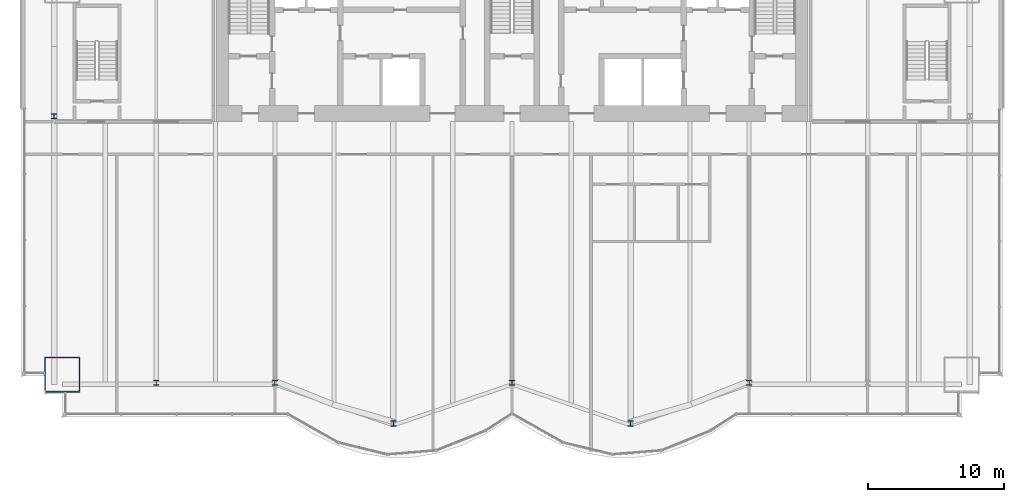
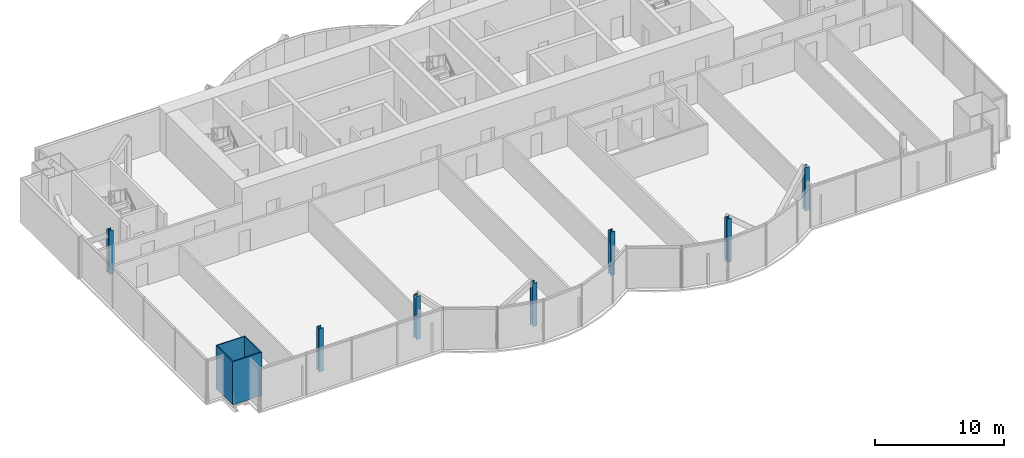
# One storey, part 1 of 21: 8 columns.
"""IFC4 building model written with IfcOpenShell, lengths in metres."""

import ifcopenshell
import ifcopenshell.guid

model = None  # the IFC model being written
_history = None  # IfcOwnerHistory: only IFC2X3 demands one
_inside = {}  # id of a spatial element -> (the spatial element, [elements in it])
_under = {}  # id of a project, library or spatial element -> (it, [spatial elements below it])
_declared = {}  # id of a project -> (the project, [libraries it declares])
_typed = {}  # id of a type object -> (the type object, [elements of that type])
_made_of = {}  # id of a material, layer set ... -> (it, [elements and type objects made of it])


def new_model(schema):
    """Start an empty IFC model of exactly this schema.

    Asked for "IFC4X3", IfcOpenShell would pick the latest addendum, in which some entities
    have other attributes; the version numbers below select the first issue.
    IFC2X3 requires an IfcOwnerHistory on every rooted entity: one is made here for all.
    """
    global model, _history
    if schema == "IFC4X3":
        model = ifcopenshell.file(schema_version=(4, 3, 0, 0))
    else:
        model = ifcopenshell.file(schema=schema)
    _inside.clear()
    _under.clear()
    _declared.clear()
    _typed.clear()
    _made_of.clear()
    _history = None
    if model.schema == "IFC2X3":
        org = make("IfcOrganization", Name="unknown")
        user = make(
            "IfcPersonAndOrganization",
            ThePerson=make("IfcPerson", FamilyName="unknown"),
            TheOrganization=org,
        )
        app = make(
            "IfcApplication",
            ApplicationDeveloper=org,
            Version="unknown",
            ApplicationFullName="unknown",
            ApplicationIdentifier="unknown",
        )
        _history = make(
            "IfcOwnerHistory",
            OwningUser=user,
            OwningApplication=app,
            ChangeAction="ADDED",
            CreationDate=0,
        )
    return model


def make(cls, **values):
    """One entity of the class cls with the attributes given. An attribute that is None is left unset."""
    return model.create_entity(
        cls, **{name: value for name, value in values.items() if value is not None}
    )


def rooted(cls, **values):
    """An entity with a GlobalId (a new one), such as an element, a storey or a relation."""
    return make(cls, GlobalId=ifcopenshell.guid.new(), OwnerHistory=_history, **values)


def si_unit(unit_type, name, prefix=None):
    """IfcSIUnit, for example si_unit("LENGTHUNIT", "METRE", prefix="MILLI")."""
    return make("IfcSIUnit", UnitType=unit_type, Prefix=prefix, Name=name)


def assignment(units):
    """IfcUnitAssignment: the units of a project."""
    return None if units is None else make("IfcUnitAssignment", Units=units)


def point(xyz):
    """IfcCartesianPoint."""
    return None if xyz is None else make("IfcCartesianPoint", Coordinates=xyz)


def direction(xyz):
    """IfcDirection."""
    return None if xyz is None else make("IfcDirection", DirectionRatios=xyz)


def frame(location, z_axis=None, x_axis=None):
    """IfcAxis2Placement3D, a coordinate frame: its origin and axes. An axis left out is left unset."""
    return make(
        "IfcAxis2Placement3D",
        Location=point(location),
        Axis=direction(z_axis),
        RefDirection=direction(x_axis),
    )


def frame_2d(location, x_axis=None):
    """IfcAxis2Placement2D, a coordinate frame in the plane: its origin and x axis."""
    return make(
        "IfcAxis2Placement2D", Location=point(location), RefDirection=direction(x_axis)
    )


def origin():
    """The frame at (0, 0, 0) with its axes left unset."""
    return frame((0.0, 0.0, 0.0))


def origin_2d():
    """The frame at (0, 0) in the plane with its x axis left unset."""
    return frame_2d((0.0, 0.0))


def place(relative_to, where):
    """IfcLocalPlacement: puts the frame where relative to a parent placement (None: the world)."""
    return make(
        "IfcLocalPlacement", PlacementRelTo=relative_to, RelativePlacement=where
    )


def context(
    kind, dimensions, precision=None, world=None, true_north=None, identifier=None
):
    """IfcGeometricRepresentationContext, for example the 3D "Model" context."""
    return make(
        "IfcGeometricRepresentationContext",
        ContextIdentifier=identifier,
        ContextType=kind,
        CoordinateSpaceDimension=dimensions,
        Precision=precision,
        WorldCoordinateSystem=world,
        TrueNorth=true_north,
    )


def subcontext(parent, identifier, kind, view, scale=None):
    """IfcGeometricRepresentationSubContext, for example "Body" below "Model"."""
    return make(
        "IfcGeometricRepresentationSubContext",
        ContextIdentifier=identifier,
        ContextType=kind,
        ParentContext=parent,
        TargetScale=scale,
        TargetView=view,
    )


def project(units=None, contexts=None):
    """IfcProject with its units and contexts."""
    return rooted(
        "IfcProject",
        Name="project",
        RepresentationContexts=contexts,
        UnitsInContext=assignment(units),
    )


def spatial(cls, under=None, at=None, **own):
    """A site, building, storey or space (cls), placed at a placement, below another one or the project."""
    s = rooted(cls, ObjectPlacement=at, **own)
    if under is not None:
        _under.setdefault(under.id(), (under, []))[1].append(s)
    return s


def profile(cls, at=None, kind="AREA", **sizes):
    """A parametric profile (cls). Its sizes go by their IFC names, for example OverallWidth=200.0."""
    return make(cls, ProfileType=kind, Position=at, **sizes)


def hollow_rectangle(**sizes):
    """IfcRectangleHollowProfileDef."""
    return profile("IfcRectangleHollowProfileDef", **sizes)


def i_section(**sizes):
    """IfcIShapeProfileDef."""
    return profile("IfcIShapeProfileDef", **sizes)


def extrude(swept, where, along, depth):
    """IfcExtrudedAreaSolid: the profile swept, set in the frame where, extruded along a direction by depth."""
    return make(
        "IfcExtrudedAreaSolid",
        SweptArea=swept,
        Position=where,
        ExtrudedDirection=direction(along),
        Depth=depth,
    )


def shape(context_of_items, identifier, shape_type, items):
    """IfcShapeRepresentation: the items that make up one representation, for example the "Body"."""
    return make(
        "IfcShapeRepresentation",
        ContextOfItems=context_of_items,
        RepresentationIdentifier=identifier,
        RepresentationType=shape_type,
        Items=items,
    )


def material(Name=None, Category=None):
    """IfcMaterial."""
    return make("IfcMaterial", Name=Name, Category=Category)


def material_profile(
    of_material, cross_section, Name=None, Category=None, Priority=None
):
    """IfcMaterialProfile: a cross section and its material."""
    return make(
        "IfcMaterialProfile",
        Name=Name,
        Material=of_material,
        Profile=cross_section,
        Priority=Priority,
        Category=Category,
    )


def profile_set(profiles, Name=None, composite=None):
    """IfcMaterialProfileSet."""
    return make(
        "IfcMaterialProfileSet",
        Name=Name,
        MaterialProfiles=profiles,
        CompositeProfile=composite,
    )


def made_of(thing, what):
    """Note that an element or type object is made of a material, layer set ...; save() writes the relation."""
    if what is not None:
        _made_of.setdefault(what.id(), (what, []))[1].append(thing)
    return thing


def type_object(cls, material=None, **own):
    """A type object (cls), such as IfcWallType, which elements share."""
    return made_of(rooted(cls, **own), material)


def element(
    cls,
    number,
    at=None,
    inside=None,
    cuts=None,
    type_object=None,
    material=None,
    context=None,
    identifier="Body",
    shape_type=None,
    held_by="IfcProductDefinitionShape",
    body=None,
    shapes=None,
    **own,
):
    """One element of the class cls, such as IfcWall. Its Tag is "e" and its number.

    at: its placement. inside: the storey or other place that contains it. cuts: it is an
    opening in that element (IfcRelVoidsElement). A single representation is given by context,
    identifier, shape_type and body (its items); several are given by shapes. held_by: the class
    of the entity that holds the representations. save() writes the other relations.
    """
    e = rooted(cls, Tag="e%d" % number, ObjectPlacement=at, **own)
    if body is not None:
        shapes = [shape(context, identifier, shape_type, body)]
    if shapes is not None:
        e.Representation = make(held_by, Representations=shapes)
    if inside is not None:
        _inside.setdefault(inside.id(), (inside, []))[1].append(e)
    if cuts is not None:
        rooted(
            "IfcRelVoidsElement", RelatingBuildingElement=cuts, RelatedOpeningElement=e
        )
    if type_object is not None:
        _typed.setdefault(type_object.id(), (type_object, []))[1].append(e)
    return made_of(e, material)


def aggregate(whole, parts):
    """IfcRelAggregates: a whole, such as a stair, and the parts it consists of."""
    return rooted("IfcRelAggregates", RelatingObject=whole, RelatedObjects=parts)


def save(model, path):
    """Write the relations noted so far, then the file.

    IfcRelAggregates (storeys below a building ...), IfcRelContainedInSpatialStructure (elements
    in a storey), IfcRelDefinesByType, IfcRelAssociatesMaterial and IfcRelDeclares: one each for
    every whole, place, type object, material and project.
    """
    for whole, parts in _under.values():
        aggregate(whole, parts)
    for where, things in _inside.values():
        rooted(
            "IfcRelContainedInSpatialStructure",
            RelatedElements=things,
            RelatingStructure=where,
        )
    for kind, things in _typed.values():
        rooted("IfcRelDefinesByType", RelatedObjects=things, RelatingType=kind)
    for what, things in _made_of.values():
        rooted("IfcRelAssociatesMaterial", RelatedObjects=things, RelatingMaterial=what)
    for by, libraries in _declared.values():
        rooted("IfcRelDeclares", RelatingContext=by, RelatedDefinitions=libraries)
    model.write(path)


model = new_model("IFC4")

# Units and contexts
model_context = context("Model", 3, precision=1e-05, world=origin(), true_north=direction((0.0, 1.0)))
body_context = subcontext(model_context, "Body", "Model", "MODEL_VIEW")
ifc_project = project(units=[si_unit("LENGTHUNIT", "METRE"), si_unit("AREAUNIT", "SQUARE_METRE"), si_unit("VOLUMEUNIT", "CUBIC_METRE"), si_unit("PLANEANGLEUNIT", "RADIAN"), si_unit("MASSUNIT", "GRAM", prefix="KILO")], contexts=[model_context])

# Site, building, storey
site_placement = place(None, origin())
site = spatial("IfcSite", under=ifc_project, at=site_placement, CompositionType="ELEMENT")
building_placement = place(site_placement, origin())
building = spatial("IfcBuilding", under=site, at=building_placement, Name="Bicima Exchange Tower", CompositionType="ELEMENT")
storey_placement = place(building_placement, frame((0.0, 0.0, 165.0)))
storey = spatial("IfcBuildingStorey", under=building, at=storey_placement, Name="L36", CompositionType="ELEMENT", Elevation=165.0)

# Columns
ifc_material_1 = material(Name="Steel ASTM A572 Gr 50", Category="steel")
ifc_material_profile_1 = material_profile(ifc_material_1, hollow_rectangle(XDim=2.60009765625, YDim=2.60009765625, WallThickness=0.080078125, at=origin_2d()))
ifc_profile_set_1 = profile_set([ifc_material_profile_1], Name="Steel ASTM A572 Gr 50")
column_type_1 = type_object("IfcColumnType", Name="Mega column BOX 2600x2600x80", PredefinedType="COLUMN", material=ifc_profile_set_1)
column_placement = place(storey_placement, frame((-33.0, -31.55810546875, 0.0), z_axis=(0.0, 0.0, 1.0), x_axis=(1.0, 0.0, 0.0)))
element("IfcColumn", 1, at=column_placement, inside=storey, type_object=column_type_1, Name="Mega column mega-33.0f", PredefinedType="COLUMN", context=body_context, shape_type="SweptSolid", body=[
    extrude(hollow_rectangle(XDim=2.60009765625, YDim=2.60009765625, WallThickness=0.080078125, at=origin_2d()), origin(), (0.0, 0.0, 1.0), 4.10009765625),
])
ifc_material_2 = material(Name="Steel ASTM A992 Gr 50", Category="steel")
ifc_material_profile_2 = material_profile(ifc_material_2, i_section(OverallWidth=0.396240234375, OverallDepth=0.381103515625, WebThickness=0.01904296875, FlangeThickness=0.0302734375, at=origin_2d()))
ifc_profile_set_2 = profile_set([ifc_material_profile_2], Name="Steel ASTM A992 Gr 50")
column_type_2 = type_object("IfcColumnType", Name="Perimeter column W14x159", PredefinedType="COLUMN", material=ifc_profile_set_2)
for number, where, z_axis, x_axis, name in (
    (2, (-26.10009765625, -32.157958984375, 0.0), (0.0, 0.0, 1.0), (1.0, 0.0, 0.0), "Perimeter column grav-26.1f"),
    (3, (-17.39990234375, -32.157958984375, 0.0), (0.0, 0.0, 1.0), (1.0, 0.0, 0.0), "Perimeter column grav-17.4f"),
    (4, (-8.699951171875, -35.149169921875, 0.0), (0.0, 0.0, 1.0), (1.0, 0.0, 0.0), "Perimeter column grav-8.7f"),
    (5, (0.0, -32.157958984375, 0.0), (0.0, 0.0, 1.0), (1.0, 0.0, 0.0), "Perimeter column grav-0.0f"),
    (6, (8.699951171875, -35.149169921875, 0.0), (0.0, 0.0, 1.0), (1.0, 0.0, 0.0), "Perimeter column grav+8.7f"),
    (7, (17.39990234375, -32.157958984375, 0.0), (0.0, 0.0, 1.0), (1.0, 0.0, 0.0), "Perimeter column grav+17.4f"),
    (8, (-33.60009765625, -12.60009765625, 0.0), (0.0, 0.0, 1.0), (1.0, 0.0, 0.0), "End column end-33.6e"),
):
    element("IfcColumn", number, at=place(storey_placement, frame(where, z_axis=z_axis, x_axis=x_axis)), inside=storey, type_object=column_type_2, Name=name, PredefinedType="COLUMN", context=body_context, shape_type="SweptSolid", body=[
        extrude(i_section(OverallWidth=0.396240234375, OverallDepth=0.381103515625, WebThickness=0.01904296875, FlangeThickness=0.0302734375, at=origin_2d()), origin(), (0.0, 0.0, 1.0), 4.10009765625),
    ])

save(model, "model.ifc")
